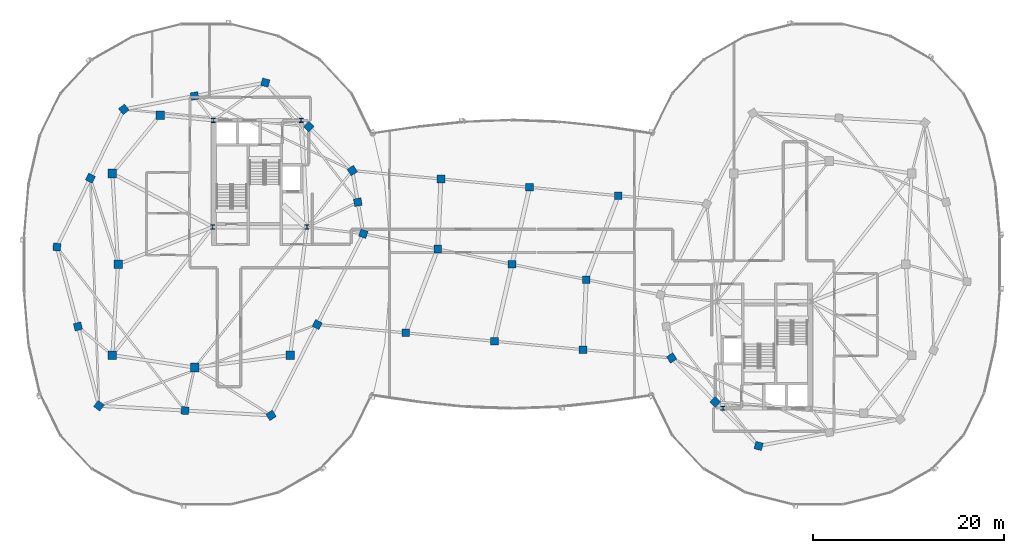
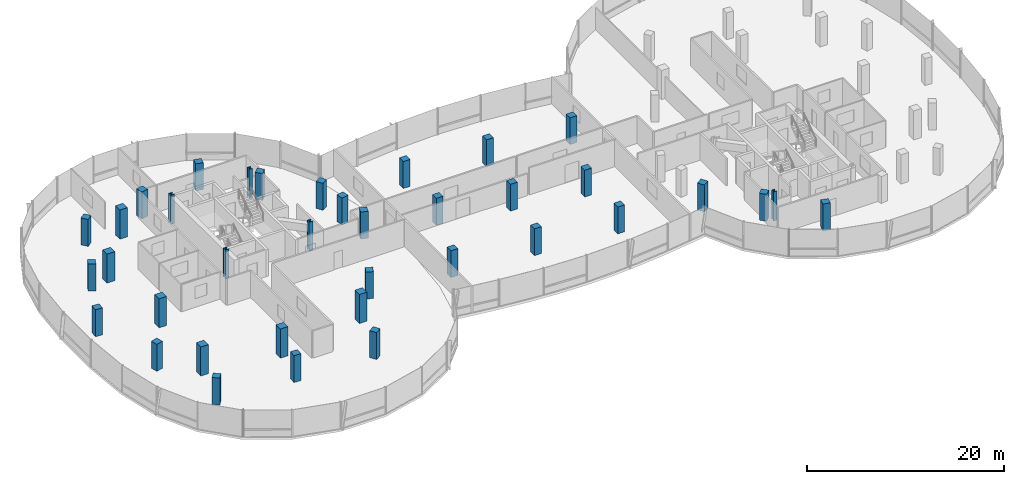
# One storey, part 1 of 25: 37 columns.
"""IFC4 building model written with IfcOpenShell, lengths in metres."""

import ifcopenshell
import ifcopenshell.guid

model = None  # the IFC model being written
_history = None  # IfcOwnerHistory: only IFC2X3 demands one
_inside = {}  # id of a spatial element -> (the spatial element, [elements in it])
_under = {}  # id of a project, library or spatial element -> (it, [spatial elements below it])
_declared = {}  # id of a project -> (the project, [libraries it declares])
_typed = {}  # id of a type object -> (the type object, [elements of that type])
_made_of = {}  # id of a material, layer set ... -> (it, [elements and type objects made of it])


def new_model(schema):
    """Start an empty IFC model of exactly this schema.

    Asked for "IFC4X3", IfcOpenShell would pick the latest addendum, in which some entities
    have other attributes; the version numbers below select the first issue.
    IFC2X3 requires an IfcOwnerHistory on every rooted entity: one is made here for all.
    """
    global model, _history
    if schema == "IFC4X3":
        model = ifcopenshell.file(schema_version=(4, 3, 0, 0))
    else:
        model = ifcopenshell.file(schema=schema)
    _inside.clear()
    _under.clear()
    _declared.clear()
    _typed.clear()
    _made_of.clear()
    _history = None
    if model.schema == "IFC2X3":
        org = make("IfcOrganization", Name="unknown")
        user = make(
            "IfcPersonAndOrganization",
            ThePerson=make("IfcPerson", FamilyName="unknown"),
            TheOrganization=org,
        )
        app = make(
            "IfcApplication",
            ApplicationDeveloper=org,
            Version="unknown",
            ApplicationFullName="unknown",
            ApplicationIdentifier="unknown",
        )
        _history = make(
            "IfcOwnerHistory",
            OwningUser=user,
            OwningApplication=app,
            ChangeAction="ADDED",
            CreationDate=0,
        )
    return model


def make(cls, **values):
    """One entity of the class cls with the attributes given. An attribute that is None is left unset."""
    return model.create_entity(
        cls, **{name: value for name, value in values.items() if value is not None}
    )


def rooted(cls, **values):
    """An entity with a GlobalId (a new one), such as an element, a storey or a relation."""
    return make(cls, GlobalId=ifcopenshell.guid.new(), OwnerHistory=_history, **values)


def si_unit(unit_type, name, prefix=None):
    """IfcSIUnit, for example si_unit("LENGTHUNIT", "METRE", prefix="MILLI")."""
    return make("IfcSIUnit", UnitType=unit_type, Prefix=prefix, Name=name)


def assignment(units):
    """IfcUnitAssignment: the units of a project."""
    return None if units is None else make("IfcUnitAssignment", Units=units)


def point(xyz):
    """IfcCartesianPoint."""
    return None if xyz is None else make("IfcCartesianPoint", Coordinates=xyz)


def direction(xyz):
    """IfcDirection."""
    return None if xyz is None else make("IfcDirection", DirectionRatios=xyz)


def frame(location, z_axis=None, x_axis=None):
    """IfcAxis2Placement3D, a coordinate frame: its origin and axes. An axis left out is left unset."""
    return make(
        "IfcAxis2Placement3D",
        Location=point(location),
        Axis=direction(z_axis),
        RefDirection=direction(x_axis),
    )


def frame_2d(location, x_axis=None):
    """IfcAxis2Placement2D, a coordinate frame in the plane: its origin and x axis."""
    return make(
        "IfcAxis2Placement2D", Location=point(location), RefDirection=direction(x_axis)
    )


def origin():
    """The frame at (0, 0, 0) with its axes left unset."""
    return frame((0.0, 0.0, 0.0))


def origin_2d():
    """The frame at (0, 0) in the plane with its x axis left unset."""
    return frame_2d((0.0, 0.0))


def place(relative_to, where):
    """IfcLocalPlacement: puts the frame where relative to a parent placement (None: the world)."""
    return make(
        "IfcLocalPlacement", PlacementRelTo=relative_to, RelativePlacement=where
    )


def context(
    kind, dimensions, precision=None, world=None, true_north=None, identifier=None
):
    """IfcGeometricRepresentationContext, for example the 3D "Model" context."""
    return make(
        "IfcGeometricRepresentationContext",
        ContextIdentifier=identifier,
        ContextType=kind,
        CoordinateSpaceDimension=dimensions,
        Precision=precision,
        WorldCoordinateSystem=world,
        TrueNorth=true_north,
    )


def subcontext(parent, identifier, kind, view, scale=None):
    """IfcGeometricRepresentationSubContext, for example "Body" below "Model"."""
    return make(
        "IfcGeometricRepresentationSubContext",
        ContextIdentifier=identifier,
        ContextType=kind,
        ParentContext=parent,
        TargetScale=scale,
        TargetView=view,
    )


def project(units=None, contexts=None):
    """IfcProject with its units and contexts."""
    return rooted(
        "IfcProject",
        Name="project",
        RepresentationContexts=contexts,
        UnitsInContext=assignment(units),
    )


def spatial(cls, under=None, at=None, **own):
    """A site, building, storey or space (cls), placed at a placement, below another one or the project."""
    s = rooted(cls, ObjectPlacement=at, **own)
    if under is not None:
        _under.setdefault(under.id(), (under, []))[1].append(s)
    return s


def profile(cls, at=None, kind="AREA", **sizes):
    """A parametric profile (cls). Its sizes go by their IFC names, for example OverallWidth=200.0."""
    return make(cls, ProfileType=kind, Position=at, **sizes)


def rectangle(**sizes):
    """IfcRectangleProfileDef."""
    return profile("IfcRectangleProfileDef", **sizes)


def i_section(**sizes):
    """IfcIShapeProfileDef."""
    return profile("IfcIShapeProfileDef", **sizes)


def extrude(swept, where, along, depth):
    """IfcExtrudedAreaSolid: the profile swept, set in the frame where, extruded along a direction by depth."""
    return make(
        "IfcExtrudedAreaSolid",
        SweptArea=swept,
        Position=where,
        ExtrudedDirection=direction(along),
        Depth=depth,
    )


def shape(context_of_items, identifier, shape_type, items):
    """IfcShapeRepresentation: the items that make up one representation, for example the "Body"."""
    return make(
        "IfcShapeRepresentation",
        ContextOfItems=context_of_items,
        RepresentationIdentifier=identifier,
        RepresentationType=shape_type,
        Items=items,
    )


def material(Name=None, Category=None):
    """IfcMaterial."""
    return make("IfcMaterial", Name=Name, Category=Category)


def material_profile(
    of_material, cross_section, Name=None, Category=None, Priority=None
):
    """IfcMaterialProfile: a cross section and its material."""
    return make(
        "IfcMaterialProfile",
        Name=Name,
        Material=of_material,
        Profile=cross_section,
        Priority=Priority,
        Category=Category,
    )


def profile_set(profiles, Name=None, composite=None):
    """IfcMaterialProfileSet."""
    return make(
        "IfcMaterialProfileSet",
        Name=Name,
        MaterialProfiles=profiles,
        CompositeProfile=composite,
    )


def made_of(thing, what):
    """Note that an element or type object is made of a material, layer set ...; save() writes the relation."""
    if what is not None:
        _made_of.setdefault(what.id(), (what, []))[1].append(thing)
    return thing


def type_object(cls, material=None, **own):
    """A type object (cls), such as IfcWallType, which elements share."""
    return made_of(rooted(cls, **own), material)


def element(
    cls,
    number,
    at=None,
    inside=None,
    cuts=None,
    type_object=None,
    material=None,
    context=None,
    identifier="Body",
    shape_type=None,
    held_by="IfcProductDefinitionShape",
    body=None,
    shapes=None,
    **own,
):
    """One element of the class cls, such as IfcWall. Its Tag is "e" and its number.

    at: its placement. inside: the storey or other place that contains it. cuts: it is an
    opening in that element (IfcRelVoidsElement). A single representation is given by context,
    identifier, shape_type and body (its items); several are given by shapes. held_by: the class
    of the entity that holds the representations. save() writes the other relations.
    """
    e = rooted(cls, Tag="e%d" % number, ObjectPlacement=at, **own)
    if body is not None:
        shapes = [shape(context, identifier, shape_type, body)]
    if shapes is not None:
        e.Representation = make(held_by, Representations=shapes)
    if inside is not None:
        _inside.setdefault(inside.id(), (inside, []))[1].append(e)
    if cuts is not None:
        rooted(
            "IfcRelVoidsElement", RelatingBuildingElement=cuts, RelatedOpeningElement=e
        )
    if type_object is not None:
        _typed.setdefault(type_object.id(), (type_object, []))[1].append(e)
    return made_of(e, material)


def aggregate(whole, parts):
    """IfcRelAggregates: a whole, such as a stair, and the parts it consists of."""
    return rooted("IfcRelAggregates", RelatingObject=whole, RelatedObjects=parts)


def save(model, path):
    """Write the relations noted so far, then the file.

    IfcRelAggregates (storeys below a building ...), IfcRelContainedInSpatialStructure (elements
    in a storey), IfcRelDefinesByType, IfcRelAssociatesMaterial and IfcRelDeclares: one each for
    every whole, place, type object, material and project.
    """
    for whole, parts in _under.values():
        aggregate(whole, parts)
    for where, things in _inside.values():
        rooted(
            "IfcRelContainedInSpatialStructure",
            RelatedElements=things,
            RelatingStructure=where,
        )
    for kind, things in _typed.values():
        rooted("IfcRelDefinesByType", RelatedObjects=things, RelatingType=kind)
    for what, things in _made_of.values():
        rooted("IfcRelAssociatesMaterial", RelatedObjects=things, RelatingMaterial=what)
    for by, libraries in _declared.values():
        rooted("IfcRelDeclares", RelatingContext=by, RelatedDefinitions=libraries)
    model.write(path)


model = new_model("IFC4")

# Units and contexts
model_context = context("Model", 3, precision=1e-05, world=origin(), true_north=direction((0.0, 1.0)))
body_context = subcontext(model_context, "Body", "Model", "MODEL_VIEW")
ifc_project = project(units=[si_unit("LENGTHUNIT", "METRE"), si_unit("AREAUNIT", "SQUARE_METRE"), si_unit("VOLUMEUNIT", "CUBIC_METRE"), si_unit("PLANEANGLEUNIT", "RADIAN"), si_unit("MASSUNIT", "GRAM", prefix="KILO"), si_unit("THERMODYNAMICTEMPERATUREUNIT", "KELVIN"), si_unit("POWERUNIT", "WATT")], contexts=[model_context])

# Site, building, storey
site_placement = place(None, origin())
site = spatial("IfcSite", under=ifc_project, at=site_placement, CompositionType="ELEMENT")
building_placement = place(site_placement, origin())
building = spatial("IfcBuilding", under=site, at=building_placement, Name="Cundina Bronze Exchange", CompositionType="ELEMENT")
storey_placement = place(building_placement, frame((0.0, 0.0, 272.0)))
storey = spatial("IfcBuildingStorey", under=building, at=storey_placement, Name="L72", CompositionType="ELEMENT", Elevation=272.0)

# Columns
ifc_material_1 = material(Name="Concrete C50/60", Category="concrete")
ifc_material_profile_1 = material_profile(ifc_material_1, rectangle(XDim=0.800048828125, YDim=0.800048828125, at=origin_2d()), Name="RC800X800", Category="concrete")
ifc_profile_set_1 = profile_set([ifc_material_profile_1], Name="Concrete C50/60")
column_type_1 = type_object("IfcColumnType", Name="COL-BRG-800", PredefinedType="COLUMN", material=ifc_profile_set_1)
for number, where, z_axis, x_axis, name in (
    (1, (-15.550048828125, 3.199951171875, 0.0), (0.0, 0.0, 1.0), (0.315152163383, 0.949041155016, 0.0), "L72 W Perimeter Column 00"),
    (2, (-16.125, 6.5, 0.0), (0.0, 0.0, 1.0), (-0.171585221787, 0.985169280715, 0.0), "L72 W Perimeter Column 01"),
    (3, (-16.699951171875, 9.800048828125, 0.0), (0.0, 0.0, 1.0), (-0.544199833495, 0.838955625301, 0.0), "L72 W Perimeter Column 02"),
    (4, (-21.25, 14.39990234375, 0.0), (0.0, 0.0, 1.0), (-0.703270634186, 0.710922228581, 0.0), "L72 W Perimeter Column 03"),
    (5, (-25.800048828125, 19.0, 0.0), (0.0, 0.0, 1.0), (-0.965970984022, 0.258650455301, 0.0), "L72 W Perimeter Column 04"),
    (6, (-33.199951171875, 17.60009765625, 0.0), (0.0, 0.0, 1.0), (-0.98258037664, -0.185838110843, 0.0), "L72 W Perimeter Column 05"),
    (7, (-40.60009765625, 16.199951171875, 0.0), (0.0, 0.0, 1.0), (-0.785100778485, -0.619368038909, 0.0), "L72 W Perimeter Column 06"),
    (8, (-44.10009765625, 9.0, 0.0), (0.0, 0.0, 1.0), (-0.437115766651, -0.899405251566, 0.0), "L72 W Perimeter Column 07"),
    (9, (-47.60009765625, 1.800048828125, 0.0), (0.0, 0.0, 1.0), (-0.083503921245, -0.996507448611, 0.0), "L72 W Perimeter Column 08"),
    (10, (-45.39990234375, -6.5, 0.0), (0.0, 0.0, 1.0), (0.256289373133, -0.966600102017, 0.0), "L72 W Perimeter Column 09"),
    (11, (-43.199951171875, -14.800048828125, 0.0), (0.0, 0.0, 1.0), (0.786288432137, -0.61785961309, 0.0), "L72 W Perimeter Column 10"),
    (12, (-34.199951171875, -15.300048828125, 0.0), (0.0, 0.0, 1.0), (0.998460188734, -0.055472980025, 0.0), "L72 W Perimeter Column 11"),
    (13, (-25.199951171875, -15.800048828125, 0.0), (0.0, 0.0, 1.0), (0.838099763533, 0.545516989988, 0.0), "L72 W Perimeter Column 12"),
    (14, (-20.375, -6.300048828125, 0.0), (0.0, 0.0, 1.0), (0.452901591366, 0.891560513111, 0.0), "L72 W Perimeter Column 13"),
    (15, (16.699951171875, -9.800048828125, 0.0), (0.0, 0.0, 1.0), (0.544199833495, -0.838955625301, 0.0), "L72 E Perimeter Column 02"),
    (16, (21.25, -14.39990234375, 0.0), (0.0, 0.0, 1.0), (0.703270634186, -0.710922228581, 0.0), "L72 E Perimeter Column 03"),
    (17, (25.800048828125, -19.0, 0.0), (0.0, 0.0, 1.0), (0.965970984022, -0.258650455301, 0.0), "L72 E Perimeter Column 04"),
):
    element("IfcColumn", number, at=place(storey_placement, frame(where, z_axis=z_axis, x_axis=x_axis)), inside=storey, type_object=column_type_1, Name=name, PredefinedType="COLUMN", context=body_context, shape_type="SweptSolid", body=[
        extrude(rectangle(XDim=0.800048828125, YDim=0.800048828125, at=origin_2d()), origin(), (0.0, 0.0, 1.0), 3.340087890625),
    ])
for number, where, z_axis, x_axis, name in (
    (18, (-11.106201171875, -7.175048828125, 0.0), (0.0, 0.0, 1.0), (1.0, 0.0, 0.0), "L72 Sky-Gate Bridge Column Y1-X1"),
    (19, (-1.83740234375, -8.050048828125, 0.0), (0.0, 0.0, 1.0), (1.0, 0.0, 0.0), "L72 Sky-Gate Bridge Column Y1-X2"),
    (20, (7.431396484375, -8.925048828125, 0.0), (0.0, 0.0, 1.0), (1.0, 0.0, 0.0), "L72 Sky-Gate Bridge Column Y1-X3"),
    (21, (-7.77490234375, 1.60009765625, 0.0), (0.0, 0.0, 1.0), (1.0, 0.0, 0.0), "L72 Sky-Gate Bridge Column Y2-X1"),
    (22, (0.0, 0.0, 0.0), (0.0, 0.0, 1.0), (1.0, 0.0, 0.0), "L72 Sky-Gate Bridge Column Y2-X2"),
    (23, (7.77490234375, -1.60009765625, 0.0), (0.0, 0.0, 1.0), (1.0, 0.0, 0.0), "L72 Sky-Gate Bridge Column Y2-X3"),
    (24, (-7.43115234375, 8.925048828125, 0.0), (0.0, 0.0, 1.0), (1.0, 0.0, 0.0), "L72 Sky-Gate Bridge Column Y3-X1"),
    (25, (1.83740234375, 8.050048828125, 0.0), (0.0, 0.0, 1.0), (1.0, 0.0, 0.0), "L72 Sky-Gate Bridge Column Y3-X2"),
    (26, (11.106201171875, 7.175048828125, 0.0), (0.0, 0.0, 1.0), (1.0, 0.0, 0.0), "L72 Sky-Gate Bridge Column Y3-X3"),
):
    element("IfcColumn", number, at=place(storey_placement, frame(where, z_axis=z_axis, x_axis=x_axis)), inside=storey, type_object=column_type_1, Name=name, PredefinedType="COLUMN", context=body_context, shape_type="SweptSolid", body=[
        extrude(rectangle(XDim=0.800048828125, YDim=0.800048828125, at=origin_2d()), origin(), (0.0, 0.0, 1.0), 3.330078125),
    ])
ifc_material_2 = material(Name="Steel ASTM A992 Grade 50", Category="steel")
ifc_material_profile_2 = material_profile(ifc_material_2, i_section(OverallWidth=0.416015625, OverallDepth=0.446044921875, WebThickness=0.0390625, FlangeThickness=0.062744140625, FilletRadius=0.01806640625, at=origin_2d()), Name="W14X342", Category="steel")
ifc_profile_set_2 = profile_set([ifc_material_profile_2], Name="Steel ASTM A992 Grade 50")
column_type_2 = type_object("IfcColumnType", Name="COL-STL-W14B", PredefinedType="COLUMN", material=ifc_profile_set_2)
for number, where, z_axis, x_axis, name in (
    (27, (-31.300048828125, 3.89990234375, 0.0), (0.0, 0.0, 1.0), (1.0, 0.0, 0.0), "L72 Core Anchor Column W1"),
    (28, (-21.449951171875, 3.89990234375, 0.0), (0.0, 0.0, 1.0), (1.0, 0.0, 0.0), "L72 Core Anchor Column W2"),
    (29, (-22.050048828125, 15.050048828125, 0.0), (0.0, 0.0, 1.0), (1.0, 0.0, 0.0), "L72 Core Anchor Column W3"),
    (30, (-31.25, 15.050048828125, 0.0), (0.0, 0.0, 1.0), (1.0, 0.0, 0.0), "L72 Core Anchor Column W4"),
    (31, (22.050048828125, -15.050048828125, 0.0), (0.0, 0.0, 1.0), (1.0, 0.0, 0.0), "L72 Core Anchor Column E3"),
):
    element("IfcColumn", number, at=place(storey_placement, frame(where, z_axis=z_axis, x_axis=x_axis)), inside=storey, type_object=column_type_2, Name=name, PredefinedType="COLUMN", context=body_context, shape_type="SweptSolid", body=[
        extrude(i_section(OverallWidth=0.416015625, OverallDepth=0.446044921875, WebThickness=0.0390625, FlangeThickness=0.062744140625, FilletRadius=0.01806640625, at=origin_2d()), origin(), (0.0, 0.0, 1.0), 3.60009765625),
    ])
ifc_material_profile_3 = material_profile(ifc_material_1, rectangle(XDim=0.89990234375, YDim=0.89990234375, at=origin_2d()), Name="RC900X900", Category="concrete")
ifc_profile_set_3 = profile_set([ifc_material_profile_3], Name="Concrete C50/60")
column_type_3 = type_object("IfcColumnType", Name="COL-Z4-900", PredefinedType="COLUMN", material=ifc_profile_set_3)
for number, where, z_axis, x_axis, name in (
    (32, (-41.199951171875, 0.0, 0.0), (0.0, 0.0, 1.0), (1.0, 0.0, 0.0), "L72 W Inner Ring Column 1"),
    (33, (-41.800048828125, 9.5, 0.0), (0.0, 0.0, 1.0), (1.0, 0.0, 0.0), "L72 W Inner Ring Column 2"),
    (34, (-36.800048828125, 15.60009765625, 0.0), (0.0, 0.0, 1.0), (1.0, 0.0, 0.0), "L72 W Inner Ring Column 3"),
    (35, (-41.800048828125, -9.5, 0.0), (0.0, 0.0, 1.0), (1.0, 0.0, 0.0), "L72 W Inner Ring Column 4"),
    (36, (-33.199951171875, -10.800048828125, 0.0), (0.0, 0.0, 1.0), (1.0, 0.0, 0.0), "L72 W Inner Ring Column 5"),
    (37, (-23.199951171875, -9.5, 0.0), (0.0, 0.0, 1.0), (1.0, 0.0, 0.0), "L72 W Inner Ring Column 6"),
):
    element("IfcColumn", number, at=place(storey_placement, frame(where, z_axis=z_axis, x_axis=x_axis)), inside=storey, type_object=column_type_3, Name=name, PredefinedType="COLUMN", context=body_context, shape_type="SweptSolid", body=[
        extrude(rectangle(XDim=0.89990234375, YDim=0.89990234375, at=origin_2d()), origin(), (0.0, 0.0, 1.0), 3.60009765625),
    ])

save(model, "model.ifc")
